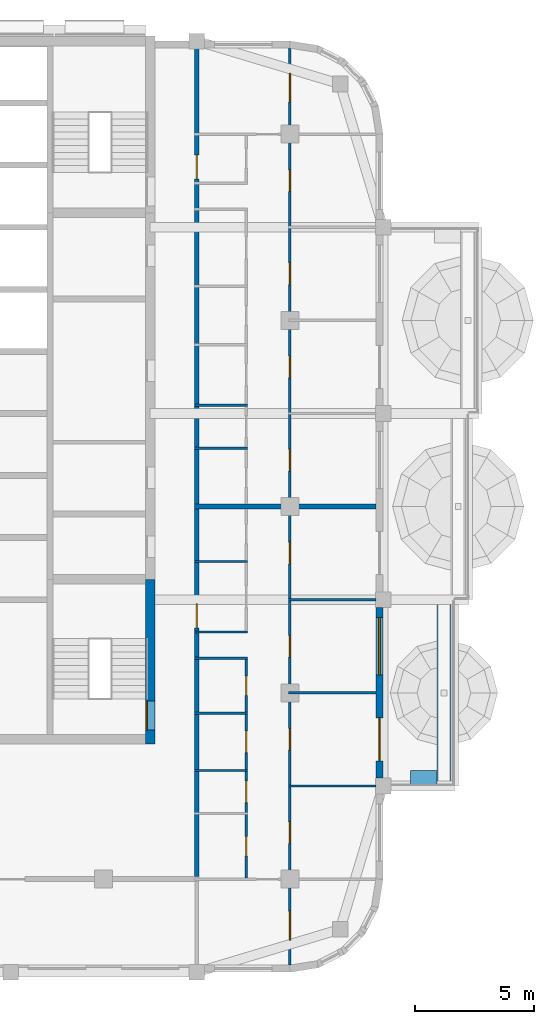
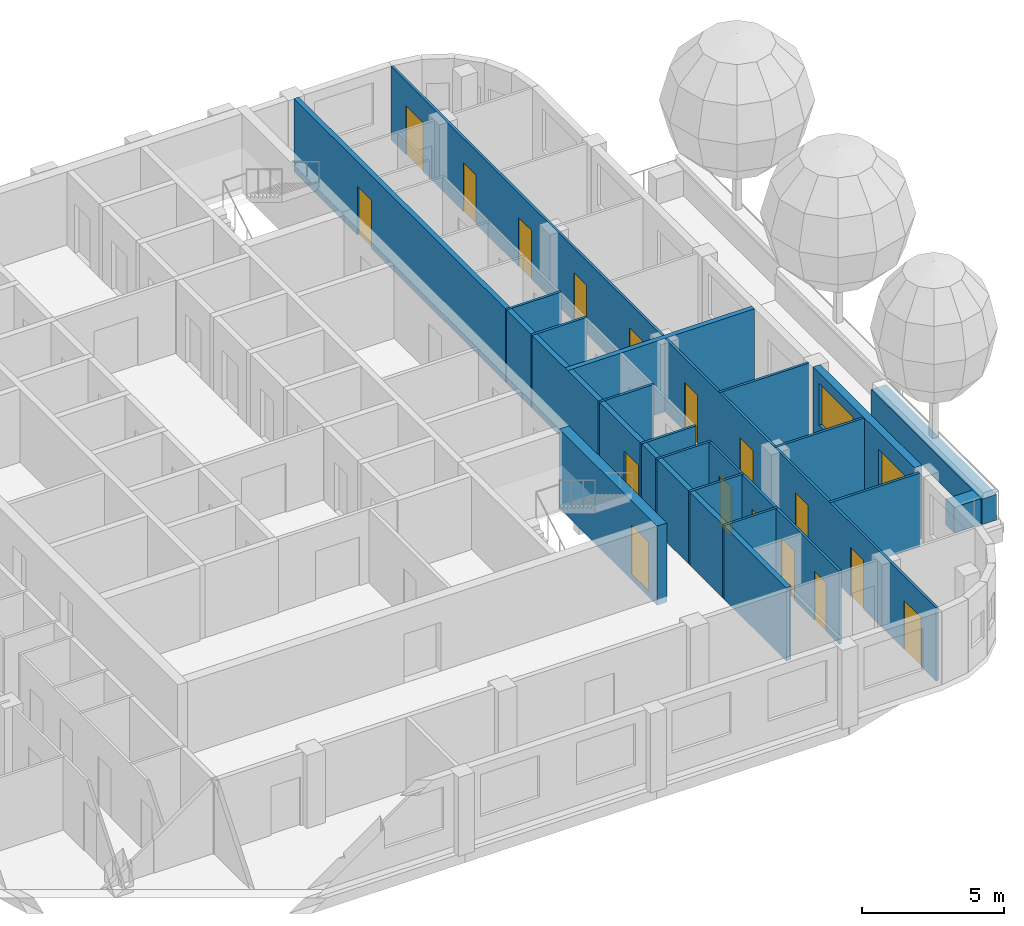
# One storey, part 6 of 13: 18 doors, 18 walls, 1 window, 19 openings.
"""IFC4 building model written with IfcOpenShell, lengths in metres."""

from ifc_helpers import new_model, si_unit, direction, frame, frame_2d, origin, place, context, subcontext, project, spatial, rectangle, extrude, material, layer, layer_set, type_object, element, fill, save


model = new_model("IFC4")

# Units and contexts
model_context = context("Model", 3, precision=1e-05, world=origin(), true_north=direction((0.0, 1.0)))
body_context = subcontext(model_context, "Body", "Model", "MODEL_VIEW")
ifc_project = project(units=[si_unit("LENGTHUNIT", "METRE"), si_unit("AREAUNIT", "SQUARE_METRE"), si_unit("VOLUMEUNIT", "CUBIC_METRE"), si_unit("PLANEANGLEUNIT", "RADIAN"), si_unit("MASSUNIT", "GRAM", prefix="KILO")], contexts=[model_context])

# Site, building, storey
site_placement = place(None, origin())
site = spatial("IfcSite", under=ifc_project, at=site_placement, CompositionType="ELEMENT")
building_placement = place(site_placement, origin())
building = spatial("IfcBuilding", under=site, at=building_placement, Name="Ludao Terraces", CompositionType="ELEMENT")
storey_placement = place(building_placement, frame((0.0, 0.0, 259.60009765625)))
storey = spatial("IfcBuildingStorey", under=building, at=storey_placement, Name="L71", CompositionType="ELEMENT", Elevation=259.60009765625)

# Wall, opening, door
ifc_material_1 = material(Name="Concrete C50", Category="concrete")
ifc_layer_1 = layer(ifc_material_1, 0.39990234375)
ifc_layer_set_1 = layer_set([ifc_layer_1], Name="Core wall 400 C50")
wall_type_1 = type_object("IfcWallType", Name="Core wall 400 C50", PredefinedType="SOLIDWALL", material=ifc_layer_set_1)
wall_1_placement = place(storey_placement, frame((94.75, 55.050048828125, -0.25), z_axis=(0.0, 0.0, 1.0), x_axis=(0.0, 1.0, 0.0)))
wall_1 = element("IfcWall", 1, at=wall_1_placement, inside=storey, type_object=wall_type_1, Name="Core wall L71 outer-E-S3", PredefinedType="SOLIDWALL", context=body_context, shape_type="SweptSolid", body=[
    extrude(rectangle(XDim=6.89990234375, YDim=0.39990234375, at=frame_2d((3.449951171875, 0.0))), origin(), (0.0, 0.0, 1.0), 3.39990234375),
])
opening_1_placement = place(wall_1_placement, frame((0.60009765625, 0.0, 0.25)))
opening_1 = element("IfcOpeningElement", 2, at=opening_1_placement, cuts=wall_1, Name="Opening R26-018", PredefinedType="OPENING", context=body_context, shape_type="SweptSolid", body=[
    extrude(rectangle(XDim=1.199951171875, YDim=2.10009765625, at=frame_2d((0.60009765625, 1.050048828125))), frame((0.0, 0.2099609375, 0.0), z_axis=(0.0, -1.0, 0.0), x_axis=(1.0, 0.0, 0.0)), (0.0, 0.0, 1.0), 0.419921875),
])
ifc_material_2 = material(Name="Steel Q235", Category="steel")
door_type_1 = type_object("IfcDoorType", Name="INT Stair door 1200", OperationType="DOUBLE_DOOR_SINGLE_SWING", PredefinedType="DOOR", material=ifc_material_2)
door_1_placement = place(opening_1_placement, origin())
door_1 = element("IfcDoor", 3, at=door_1_placement, inside=storey, type_object=door_type_1, Name="DOOR 018", OperationType="DOUBLE_DOOR_SINGLE_SWING", OverallHeight=2.10009765625, OverallWidth=1.199951171875, PredefinedType="DOOR", context=body_context, shape_type="SweptSolid", body=[
    extrude(rectangle(XDim=1.199951171875, YDim=2.10009765625, at=frame_2d((0.60009765625, 1.050048828125))), frame((0.0, 0.18505859375, 0.0), z_axis=(0.0, -1.0, 0.0), x_axis=(1.0, 0.0, 0.0)), (0.0, 0.0, 1.0), 0.050048828125),
])
fill(opening_1, door_1)

# Walls
ifc_material_3 = material(Name="Concrete C40", Category="concrete")
ifc_layer_2 = layer(ifc_material_3, 0.60009765625)
ifc_layer_set_2 = layer_set([ifc_layer_2], Name="ENV Planter trough 600")
wall_type_2 = type_object("IfcWallType", Name="ENV Planter trough 600", PredefinedType="USERDEFINED", material=ifc_layer_set_2)
wall_2_placement = place(storey_placement, frame((107.050048828125, 53.300048828125, 0.0), z_axis=(0.0, 0.0, 1.0), x_axis=(0.0, 1.0, 0.0)))
element("IfcWall", 4, at=wall_2_placement, inside=storey, type_object=wall_type_2, Name="PL-L71-E1", ObjectType="PLANTER", PredefinedType="USERDEFINED", context=body_context, shape_type="SweptSolid", body=[
    extrude(rectangle(XDim=7.800048828125, YDim=0.60009765625, at=frame_2d((3.89990234375, 0.0))), origin(), (0.0, 0.0, 1.0), 1.099853515625),
])
wall_3_placement = place(storey_placement, frame((106.75, 53.64990234375, 0.0), z_axis=(0.0, 0.0, 1.0), x_axis=(-1.0, 0.0, 0.0)))
element("IfcWall", 5, at=wall_3_placement, inside=storey, type_object=wall_type_2, Name="PL-L71-E1-SA", ObjectType="PLANTER", PredefinedType="USERDEFINED", context=body_context, shape_type="SweptSolid", body=[
    extrude(rectangle(XDim=1.10009765625, YDim=0.60009765625, at=frame_2d((0.550048828125, 0.0))), origin(), (0.0, 0.0, 1.0), 1.099853515625),
])

# Wall, openings, door, window
ifc_material_4 = material(Name="Granite cladding", Category="masonry")
ifc_layer_3 = layer(ifc_material_4, 0.0400390625, Category="stone")
ifc_material_5 = material(Name="Mineral wool")
ifc_layer_4 = layer(ifc_material_5, 0.06005859375)
ifc_layer_5 = layer(ifc_material_3, 0.199951171875, Category="concrete")
ifc_layer_set_3 = layer_set([ifc_layer_3, ifc_layer_4, ifc_layer_5], Name="ENV Stone-clad wall 300")
wall_type_3 = type_object("IfcWallType", Name="ENV Stone-clad wall 300", PredefinedType="SOLIDWALL", material=ifc_layer_set_3)
wall_4_placement = place(storey_placement, frame((104.35009765625, 53.625, 0.0), z_axis=(0.0, 0.0, 1.0), x_axis=(0.0, 1.0, 0.0)))
wall_4 = element("IfcWall", 6, at=wall_4_placement, inside=storey, type_object=wall_type_3, Name="EW-L71-E2", PredefinedType="SOLIDWALL", context=body_context, shape_type="SweptSolid", body=[
    extrude(rectangle(XDim=7.14990234375, YDim=0.300048828125, at=frame_2d((3.574951171875, 0.0))), origin(), (0.0, 0.0, 1.0), 3.14990234375),
])
opening_2_placement = place(wall_4_placement, frame((0.72509765625, 0.0, 0.0)))
opening_2 = element("IfcOpeningElement", 7, at=opening_2_placement, cuts=wall_4, Name="Opening BD", PredefinedType="OPENING", context=body_context, shape_type="SweptSolid", body=[
    extrude(rectangle(XDim=1.800048828125, YDim=2.39990234375, at=frame_2d((0.89990234375, 1.199951171875))), frame((0.0, 0.16015625, 0.0), z_axis=(0.0, -1.0, 0.0), x_axis=(1.0, 0.0, 0.0)), (0.0, 0.0, 1.0), 0.320068359375),
])
opening_3_placement = place(wall_4_placement, frame((4.324951171875, 0.0, 0.89990234375)))
opening_3 = element("IfcOpeningElement", 8, at=opening_3_placement, cuts=wall_4, Name="Opening W1", PredefinedType="OPENING", context=body_context, shape_type="SweptSolid", body=[
    extrude(rectangle(XDim=2.39990234375, YDim=1.800048828125, at=frame_2d((1.199951171875, 0.89990234375))), frame((0.0, 0.16015625, 0.0), z_axis=(0.0, -1.0, 0.0), x_axis=(1.0, 0.0, 0.0)), (0.0, 0.0, 1.0), 0.320068359375),
])
ifc_material_6 = material(Name="Aluminium glazed door", Category="aluminium")
ifc_layer_6 = layer(ifc_material_6, 0.06005859375)
ifc_layer_set_4 = layer_set([ifc_layer_6], Name="ENV Balcony door BD 1800x2400")
door_type_2 = type_object("IfcDoorType", Name="ENV Balcony door BD 1800x2400", OperationType="DOUBLE_DOOR_SINGLE_SWING", PredefinedType="DOOR", material=ifc_layer_set_4)
door_2_placement = place(opening_2_placement, origin())
door_2 = element("IfcDoor", 9, at=door_2_placement, inside=storey, type_object=door_type_2, Name="BD-L71-E2-1", OperationType="DOUBLE_DOOR_SINGLE_SWING", OverallHeight=2.39990234375, OverallWidth=1.800048828125, PredefinedType="DOOR", context=body_context, shape_type="SweptSolid", body=[
    extrude(rectangle(XDim=1.800048828125, YDim=2.39990234375, at=frame_2d((0.89990234375, 1.199951171875))), frame((0.0, 0.02490234375, 0.0), z_axis=(0.0, -1.0, 0.0), x_axis=(1.0, 0.0, 0.0)), (0.0, 0.0, 1.0), 0.050048828125),
])
fill(opening_2, door_2)
ifc_material_7 = material(Name="Clear glass in aluminium frame", Category="aluminium")
ifc_layer_7 = layer(ifc_material_7, 0.06005859375)
ifc_layer_set_5 = layer_set([ifc_layer_7], Name="ENV Window W1 2400x1800")
window_type = type_object("IfcWindowType", Name="ENV Window W1 2400x1800", PartitioningType="DOUBLE_PANEL_VERTICAL", PredefinedType="WINDOW", material=ifc_layer_set_5)
window_placement = place(opening_3_placement, origin())
window = element("IfcWindow", 10, at=window_placement, inside=storey, type_object=window_type, Name="W-L71-E2-2", OverallHeight=1.800048828125, OverallWidth=2.39990234375, PartitioningType="DOUBLE_PANEL_VERTICAL", PredefinedType="WINDOW", context=body_context, shape_type="SweptSolid", body=[
    extrude(rectangle(XDim=2.39990234375, YDim=1.800048828125, at=frame_2d((1.199951171875, 0.89990234375))), frame((0.0, 0.030029296875, 0.0), z_axis=(0.0, -1.0, 0.0), x_axis=(1.0, 0.0, 0.0)), (0.0, 0.0, 1.0), 0.06005859375),
])
fill(opening_3, window)

# Wall, openings, doors
ifc_material_8 = material(Name="Autoclaved aerated concrete block B06 A3.5", Category="concrete")
ifc_layer_8 = layer(ifc_material_8, 0.199951171875)
ifc_layer_set_6 = layer_set([ifc_layer_8], Name="INT Entrance wall 200")
wall_type_4 = type_object("IfcWallType", Name="INT Entrance wall 200", PredefinedType="PARTITIONING", material=ifc_layer_set_6)
wall_5_placement = place(storey_placement, frame((96.699951171875, 49.5, 0.0), z_axis=(0.0, 0.0, 1.0), x_axis=(0.0, 1.0, 0.0)))
wall_5 = element("IfcWall", 11, at=wall_5_placement, inside=storey, type_object=wall_type_4, Name="PW-L71-PW056", PredefinedType="PARTITIONING", context=body_context, shape_type="SweptSolid", body=[
    extrude(rectangle(XDim=34.7001953125, YDim=0.199951171875, at=frame_2d((17.35009765625, 0.0))), origin(), (0.0, 0.0, 1.0), 3.14990234375),
])
opening_4_placement = place(wall_5_placement, frame((10.425048828125, 0.0, 0.0)))
opening_4 = element("IfcOpeningElement", 12, at=opening_4_placement, cuts=wall_5, Name="Opening R26-024", PredefinedType="OPENING", context=body_context, shape_type="SweptSolid", body=[
    extrude(rectangle(XDim=1.0, YDim=2.10009765625, at=frame_2d((0.5, 1.050048828125))), frame((0.0, 0.10986328125, 0.0), z_axis=(0.0, -1.0, 0.0), x_axis=(1.0, 0.0, 0.0)), (0.0, 0.0, 1.0), 0.219970703125),
])
opening_5_placement = place(wall_5_placement, frame((29.22509765625, 0.0, 0.0)))
opening_5 = element("IfcOpeningElement", 13, at=opening_5_placement, cuts=wall_5, Name="Opening R26-077", PredefinedType="OPENING", context=body_context, shape_type="SweptSolid", body=[
    extrude(rectangle(XDim=1.0, YDim=2.10009765625, at=frame_2d((0.5, 1.050048828125))), frame((0.0, 0.10986328125, 0.0), z_axis=(0.0, -1.0, 0.0), x_axis=(1.0, 0.0, 0.0)), (0.0, 0.0, 1.0), 0.219970703125),
])
door_type_3 = type_object("IfcDoorType", Name="INT Flat entrance door 1000", OperationType="SINGLE_SWING_LEFT", PredefinedType="DOOR", material=ifc_material_2)
door_3_placement = place(opening_4_placement, origin())
door_3 = element("IfcDoor", 14, at=door_3_placement, inside=storey, type_object=door_type_3, Name="DOOR 024", OperationType="SINGLE_SWING_LEFT", OverallHeight=2.10009765625, OverallWidth=1.0, PredefinedType="DOOR", context=body_context, shape_type="SweptSolid", body=[
    extrude(rectangle(XDim=1.0, YDim=2.10009765625, at=frame_2d((0.5, 1.050048828125))), frame((0.0, 0.02490234375, 0.0), z_axis=(0.0, -1.0, 0.0), x_axis=(1.0, 0.0, 0.0)), (0.0, 0.0, 1.0), 0.050048828125),
])
fill(opening_4, door_3)
door_4_placement = place(opening_5_placement, origin())
door_4 = element("IfcDoor", 15, at=door_4_placement, inside=storey, type_object=door_type_3, Name="DOOR 077", OperationType="SINGLE_SWING_LEFT", OverallHeight=2.10009765625, OverallWidth=1.0, PredefinedType="DOOR", context=body_context, shape_type="SweptSolid", body=[
    extrude(rectangle(XDim=1.0, YDim=2.10009765625, at=frame_2d((0.5, 1.050048828125))), frame((0.0, 0.02490234375, 0.0), z_axis=(0.0, -1.0, 0.0), x_axis=(1.0, 0.0, 0.0)), (0.0, 0.0, 1.0), 0.050048828125),
])
fill(opening_5, door_4)

# Walls
ifc_material_9 = material(Name="Gypsum plasterboard", Category="gypsum")
ifc_layer_9 = layer(ifc_material_9, 0.012451171875, Category="gypsum")
ifc_layer_10 = layer(ifc_material_5, 0.06005859375, Name="insulation")
ifc_layer_11 = layer(ifc_material_2, 0.014892578125, Name="stud")
ifc_layer_12 = layer(ifc_material_9, 0.012451171875, Category="gypsum")
ifc_layer_set_7 = layer_set([ifc_layer_9, ifc_layer_10, ifc_layer_11, ifc_layer_12], Name="INT Partition 100")
wall_type_5 = type_object("IfcWallType", Name="INT Partition 100", PredefinedType="PARTITIONING", material=ifc_layer_set_7)
wall_6_placement = place(storey_placement, frame((100.550048828125, 53.300048828125, 0.0), z_axis=(0.0, 0.0, 1.0), x_axis=(1.0, 0.0, 0.0)))
element("IfcWall", 16, at=wall_6_placement, inside=storey, type_object=wall_type_5, Name="PW-L71-PW006", PredefinedType="PARTITIONING", context=body_context, shape_type="SweptSolid", body=[
    extrude(rectangle(XDim=3.650146484375, YDim=0.10009765625, at=frame_2d((1.8251953125, 0.0))), origin(), (0.0, 0.0, 1.0), 3.14990234375),
])
for number, where, z_axis, x_axis, name in (
    (17, (96.60009765625, 53.949951171875, 0.0), (0.0, 0.0, 1.0), (1.0, 0.0, 0.0), "PW-L71-PW007"),
    (18, (96.60009765625, 56.35009765625, 0.0), (0.0, 0.0, 1.0), (1.0, 0.0, 0.0), "PW-L71-PW009"),
):
    element("IfcWall", number, at=place(storey_placement, frame(where, z_axis=z_axis, x_axis=x_axis)), inside=storey, type_object=wall_type_5, Name=name, PredefinedType="PARTITIONING", context=body_context, shape_type="SweptSolid", body=[
        extrude(rectangle(XDim=2.219970703125, YDim=0.10009765625, at=frame_2d((1.10986328125, 0.0))), origin(), (0.0, 0.0, 1.0), 3.14990234375),
    ])
wall_7_placement = place(storey_placement, frame((100.550048828125, 57.199951171875, 0.0), z_axis=(0.0, 0.0, 1.0), x_axis=(1.0, 0.0, 0.0)))
element("IfcWall", 19, at=wall_7_placement, inside=storey, type_object=wall_type_5, Name="PW-L71-PW012", PredefinedType="PARTITIONING", context=body_context, shape_type="SweptSolid", body=[
    extrude(rectangle(XDim=3.650146484375, YDim=0.10009765625, at=frame_2d((1.8251953125, 0.0))), origin(), (0.0, 0.0, 1.0), 3.14990234375),
])
for number, where, z_axis, x_axis, name in (
    (20, (96.60009765625, 58.64990234375, 0.0), (0.0, 0.0, 1.0), (1.0, 0.0, 0.0), "PW-L71-PW013"),
    (21, (96.60009765625, 59.75, 0.0), (0.0, 0.0, 1.0), (1.0, 0.0, 0.0), "PW-L71-PW015"),
):
    element("IfcWall", number, at=place(storey_placement, frame(where, z_axis=z_axis, x_axis=x_axis)), inside=storey, type_object=wall_type_5, Name=name, PredefinedType="PARTITIONING", context=body_context, shape_type="SweptSolid", body=[
        extrude(rectangle(XDim=2.219970703125, YDim=0.10009765625, at=frame_2d((1.10986328125, 0.0))), origin(), (0.0, 0.0, 1.0), 3.14990234375),
    ])
wall_8_placement = place(storey_placement, frame((100.550048828125, 61.10009765625, 0.0), z_axis=(0.0, 0.0, 1.0), x_axis=(1.0, 0.0, 0.0)))
element("IfcWall", 22, at=wall_8_placement, inside=storey, type_object=wall_type_5, Name="PW-L71-PW019", PredefinedType="PARTITIONING", context=body_context, shape_type="SweptSolid", body=[
    extrude(rectangle(XDim=3.650146484375, YDim=0.10009765625, at=frame_2d((1.8251953125, 0.0))), origin(), (0.0, 0.0, 1.0), 3.14990234375),
])
for number, where, z_axis, x_axis, name in (
    (23, (96.60009765625, 62.699951171875, 0.0), (0.0, 0.0, 1.0), (1.0, 0.0, 0.0), "PW-L71-PW020"),
    (24, (96.60009765625, 67.449951171875, 0.0), (0.0, 0.0, 1.0), (1.0, 0.0, 0.0), "PW-L71-PW025"),
    (25, (96.60009765625, 69.25, 0.0), (0.0, 0.0, 1.0), (1.0, 0.0, 0.0), "PW-L71-PW031"),
):
    element("IfcWall", number, at=place(storey_placement, frame(where, z_axis=z_axis, x_axis=x_axis)), inside=storey, type_object=wall_type_5, Name=name, PredefinedType="PARTITIONING", context=body_context, shape_type="SweptSolid", body=[
        extrude(rectangle(XDim=2.219970703125, YDim=0.10009765625, at=frame_2d((1.10986328125, 0.0))), origin(), (0.0, 0.0, 1.0), 3.14990234375),
    ])

# Wall, openings, doors
wall_9_placement = place(storey_placement, frame((98.77001953125, 49.4501953125, 0.0), z_axis=(0.0, 0.0, 1.0), x_axis=(0.0, 1.0, 0.0)))
wall_9 = element("IfcWall", 26, at=wall_9_placement, inside=storey, type_object=wall_type_5, Name="PW-L71-PW057", PredefinedType="PARTITIONING", context=body_context, shape_type="SweptSolid", body=[
    extrude(rectangle(XDim=9.14990234375, YDim=0.10009765625, at=frame_2d((4.574951171875, 0.0))), origin(), (0.0, 0.0, 1.0), 3.14990234375),
])
opening_6_placement = place(wall_9_placement, frame((0.9248046875, 0.0, 0.0)))
opening_6 = element("IfcOpeningElement", 27, at=opening_6_placement, cuts=wall_9, Name="Opening R26-008", PredefinedType="OPENING", context=body_context, shape_type="SweptSolid", body=[
    extrude(rectangle(XDim=0.800048828125, YDim=2.10009765625, at=frame_2d((0.39990234375, 1.050048828125))), frame((0.0, 0.06005859375, 0.0), z_axis=(0.0, -1.0, 0.0), x_axis=(1.0, 0.0, 0.0)), (0.0, 0.0, 1.0), 0.1201171875),
])
opening_7_placement = place(wall_9_placement, frame((3.14990234375, 0.0, 0.0)))
opening_7 = element("IfcOpeningElement", 28, at=opening_7_placement, cuts=wall_9, Name="Opening R26-011", PredefinedType="OPENING", context=body_context, shape_type="SweptSolid", body=[
    extrude(rectangle(XDim=0.89990234375, YDim=2.10009765625, at=frame_2d((0.449951171875, 1.050048828125))), frame((0.0, 0.06005859375, 0.0), z_axis=(0.0, -1.0, 0.0), x_axis=(1.0, 0.0, 0.0)), (0.0, 0.0, 1.0), 0.1201171875),
])
opening_8_placement = place(wall_9_placement, frame((5.25, 0.0, 0.0)))
opening_8 = element("IfcOpeningElement", 29, at=opening_8_placement, cuts=wall_9, Name="Opening R26-013", PredefinedType="OPENING", context=body_context, shape_type="SweptSolid", body=[
    extrude(rectangle(XDim=0.89990234375, YDim=2.10009765625, at=frame_2d((0.449951171875, 1.050048828125))), frame((0.0, 0.06005859375, 0.0), z_axis=(0.0, -1.0, 0.0), x_axis=(1.0, 0.0, 0.0)), (0.0, 0.0, 1.0), 0.1201171875),
])
opening_9_placement = place(wall_9_placement, frame((7.64990234375, 0.0, 0.0)))
opening_9 = element("IfcOpeningElement", 30, at=opening_9_placement, cuts=wall_9, Name="Opening R26-019", PredefinedType="OPENING", context=body_context, shape_type="SweptSolid", body=[
    extrude(rectangle(XDim=0.800048828125, YDim=2.10009765625, at=frame_2d((0.39990234375, 1.050048828125))), frame((0.0, 0.06005859375, 0.0), z_axis=(0.0, -1.0, 0.0), x_axis=(1.0, 0.0, 0.0)), (0.0, 0.0, 1.0), 0.1201171875),
])
ifc_material_10 = material(Name="Timber door leaf", Category="wood")
door_type_4 = type_object("IfcDoorType", Name="INT Bathroom door 900", OperationType="SINGLE_SWING_LEFT", PredefinedType="DOOR", material=ifc_material_10)
door_5_placement = place(opening_7_placement, origin())
door_5 = element("IfcDoor", 31, at=door_5_placement, inside=storey, type_object=door_type_4, Name="DOOR 011", OperationType="SINGLE_SWING_LEFT", OverallHeight=2.10009765625, OverallWidth=0.89990234375, PredefinedType="DOOR", context=body_context, shape_type="SweptSolid", body=[
    extrude(rectangle(XDim=0.89990234375, YDim=2.10009765625, at=frame_2d((0.449951171875, 1.050048828125))), frame((0.0, 0.02490234375, 0.0), z_axis=(0.0, -1.0, 0.0), x_axis=(1.0, 0.0, 0.0)), (0.0, 0.0, 1.0), 0.050048828125),
])
fill(opening_7, door_5)
door_6_placement = place(opening_8_placement, origin())
door_6 = element("IfcDoor", 32, at=door_6_placement, inside=storey, type_object=door_type_4, Name="DOOR 013", OperationType="SINGLE_SWING_LEFT", OverallHeight=2.10009765625, OverallWidth=0.89990234375, PredefinedType="DOOR", context=body_context, shape_type="SweptSolid", body=[
    extrude(rectangle(XDim=0.89990234375, YDim=2.10009765625, at=frame_2d((0.449951171875, 1.050048828125))), frame((0.0, 0.02490234375, 0.0), z_axis=(0.0, -1.0, 0.0), x_axis=(1.0, 0.0, 0.0)), (0.0, 0.0, 1.0), 0.050048828125),
])
fill(opening_8, door_6)
door_type_5 = type_object("IfcDoorType", Name="INT Store door 800", OperationType="SINGLE_SWING_LEFT", PredefinedType="DOOR", material=ifc_material_10)
door_7_placement = place(opening_6_placement, origin())
door_7 = element("IfcDoor", 33, at=door_7_placement, inside=storey, type_object=door_type_5, Name="DOOR 008", OperationType="SINGLE_SWING_LEFT", OverallHeight=2.10009765625, OverallWidth=0.800048828125, PredefinedType="DOOR", context=body_context, shape_type="SweptSolid", body=[
    extrude(rectangle(XDim=0.800048828125, YDim=2.10009765625, at=frame_2d((0.39990234375, 1.050048828125))), frame((0.0, 0.02490234375, 0.0), z_axis=(0.0, -1.0, 0.0), x_axis=(1.0, 0.0, 0.0)), (0.0, 0.0, 1.0), 0.050048828125),
])
fill(opening_6, door_7)
door_8_placement = place(opening_9_placement, origin())
door_8 = element("IfcDoor", 34, at=door_8_placement, inside=storey, type_object=door_type_5, Name="DOOR 019", OperationType="SINGLE_SWING_LEFT", OverallHeight=2.10009765625, OverallWidth=0.800048828125, PredefinedType="DOOR", context=body_context, shape_type="SweptSolid", body=[
    extrude(rectangle(XDim=0.800048828125, YDim=2.10009765625, at=frame_2d((0.39990234375, 1.050048828125))), frame((0.0, 0.02490234375, 0.0), z_axis=(0.0, -1.0, 0.0), x_axis=(1.0, 0.0, 0.0)), (0.0, 0.0, 1.0), 0.050048828125),
])
fill(opening_9, door_8)

wall_10_placement = place(storey_placement, frame((100.60009765625, 45.800048828125, 0.0), z_axis=(0.0, 0.0, 1.0), x_axis=(0.0, 1.0, 0.0)))
wall_10 = element("IfcWall", 35, at=wall_10_placement, inside=storey, type_object=wall_type_5, Name="PW-L71-PW060", PredefinedType="PARTITIONING", context=body_context, shape_type="SweptSolid", body=[
    extrude(rectangle(XDim=38.400146484375, YDim=0.10009765625, at=frame_2d((19.2001953125, 0.0))), origin(), (0.0, 0.0, 1.0), 3.14990234375),
])
opening_10_placement = place(wall_10_placement, frame((1.050048828125, 0.0, 0.0)))
opening_10 = element("IfcOpeningElement", 36, at=opening_10_placement, cuts=wall_10, Name="Opening R26-002", PredefinedType="OPENING", context=body_context, shape_type="SweptSolid", body=[
    extrude(rectangle(XDim=1.199951171875, YDim=2.10009765625, at=frame_2d((0.60009765625, 1.050048828125))), frame((0.0, 0.06005859375, 0.0), z_axis=(0.0, -1.0, 0.0), x_axis=(1.0, 0.0, 0.0)), (0.0, 0.0, 1.0), 0.1201171875),
])
opening_11_placement = place(wall_10_placement, frame((5.10009765625, 0.0, 0.0)))
opening_11 = element("IfcOpeningElement", 37, at=opening_11_placement, cuts=wall_10, Name="Opening R26-010", PredefinedType="OPENING", context=body_context, shape_type="SweptSolid", body=[
    extrude(rectangle(XDim=0.89990234375, YDim=2.10009765625, at=frame_2d((0.449951171875, 1.050048828125))), frame((0.0, 0.06005859375, 0.0), z_axis=(0.0, -1.0, 0.0), x_axis=(1.0, 0.0, 0.0)), (0.0, 0.0, 1.0), 0.1201171875),
])
opening_12_placement = place(wall_10_placement, frame((9.0, 0.0, 0.0)))
opening_12 = element("IfcOpeningElement", 38, at=opening_12_placement, cuts=wall_10, Name="Opening R26-016", PredefinedType="OPENING", context=body_context, shape_type="SweptSolid", body=[
    extrude(rectangle(XDim=0.89990234375, YDim=2.10009765625, at=frame_2d((0.449951171875, 1.050048828125))), frame((0.0, 0.06005859375, 0.0), z_axis=(0.0, -1.0, 0.0), x_axis=(1.0, 0.0, 0.0)), (0.0, 0.0, 1.0), 0.1201171875),
])
opening_13_placement = place(wall_10_placement, frame((12.89990234375, 0.0, 0.0)))
opening_13 = element("IfcOpeningElement", 39, at=opening_13_placement, cuts=wall_10, Name="Opening R26-023", PredefinedType="OPENING", context=body_context, shape_type="SweptSolid", body=[
    extrude(rectangle(XDim=0.89990234375, YDim=2.10009765625, at=frame_2d((0.449951171875, 1.050048828125))), frame((0.0, 0.06005859375, 0.0), z_axis=(0.0, -1.0, 0.0), x_axis=(1.0, 0.0, 0.0)), (0.0, 0.0, 1.0), 0.1201171875),
])
opening_14_placement = place(wall_10_placement, frame((16.800048828125, 0.0, 0.0)))
opening_14 = element("IfcOpeningElement", 40, at=opening_14_placement, cuts=wall_10, Name="Opening R26-033", PredefinedType="OPENING", context=body_context, shape_type="SweptSolid", body=[
    extrude(rectangle(XDim=0.89990234375, YDim=2.10009765625, at=frame_2d((0.449951171875, 1.050048828125))), frame((0.0, 0.06005859375, 0.0), z_axis=(0.0, -1.0, 0.0), x_axis=(1.0, 0.0, 0.0)), (0.0, 0.0, 1.0), 0.1201171875),
])
opening_15_placement = place(wall_10_placement, frame((20.699951171875, 0.0, 0.0)))
opening_15 = element("IfcOpeningElement", 41, at=opening_15_placement, cuts=wall_10, Name="Opening R26-045", PredefinedType="OPENING", context=body_context, shape_type="SweptSolid", body=[
    extrude(rectangle(XDim=0.89990234375, YDim=2.10009765625, at=frame_2d((0.449951171875, 1.050048828125))), frame((0.0, 0.06005859375, 0.0), z_axis=(0.0, -1.0, 0.0), x_axis=(1.0, 0.0, 0.0)), (0.0, 0.0, 1.0), 0.1201171875),
])
opening_16_placement = place(wall_10_placement, frame((24.60009765625, 0.0, 0.0)))
opening_16 = element("IfcOpeningElement", 42, at=opening_16_placement, cuts=wall_10, Name="Opening R26-056", PredefinedType="OPENING", context=body_context, shape_type="SweptSolid", body=[
    extrude(rectangle(XDim=0.89990234375, YDim=2.10009765625, at=frame_2d((0.449951171875, 1.050048828125))), frame((0.0, 0.06005859375, 0.0), z_axis=(0.0, -1.0, 0.0), x_axis=(1.0, 0.0, 0.0)), (0.0, 0.0, 1.0), 0.1201171875),
])
opening_17_placement = place(wall_10_placement, frame((28.5, 0.0, 0.0)))
opening_17 = element("IfcOpeningElement", 43, at=opening_17_placement, cuts=wall_10, Name="Opening R26-062", PredefinedType="OPENING", context=body_context, shape_type="SweptSolid", body=[
    extrude(rectangle(XDim=0.89990234375, YDim=2.10009765625, at=frame_2d((0.449951171875, 1.050048828125))), frame((0.0, 0.06005859375, 0.0), z_axis=(0.0, -1.0, 0.0), x_axis=(1.0, 0.0, 0.0)), (0.0, 0.0, 1.0), 0.1201171875),
])
opening_18_placement = place(wall_10_placement, frame((32.39990234375, 0.0, 0.0)))
opening_18 = element("IfcOpeningElement", 44, at=opening_18_placement, cuts=wall_10, Name="Opening R26-075", PredefinedType="OPENING", context=body_context, shape_type="SweptSolid", body=[
    extrude(rectangle(XDim=0.89990234375, YDim=2.10009765625, at=frame_2d((0.449951171875, 1.050048828125))), frame((0.0, 0.06005859375, 0.0), z_axis=(0.0, -1.0, 0.0), x_axis=(1.0, 0.0, 0.0)), (0.0, 0.0, 1.0), 0.1201171875),
])
opening_19_placement = place(wall_10_placement, frame((36.14990234375, 0.0, 0.0)))
opening_19 = element("IfcOpeningElement", 45, at=opening_19_placement, cuts=wall_10, Name="Opening R26-085", PredefinedType="OPENING", context=body_context, shape_type="SweptSolid", body=[
    extrude(rectangle(XDim=1.199951171875, YDim=2.10009765625, at=frame_2d((0.60009765625, 1.050048828125))), frame((0.0, 0.06005859375, 0.0), z_axis=(0.0, -1.0, 0.0), x_axis=(1.0, 0.0, 0.0)), (0.0, 0.0, 1.0), 0.1201171875),
])
door_type_6 = type_object("IfcDoorType", Name="INT Double door 1200", OperationType="DOUBLE_DOOR_SINGLE_SWING", PredefinedType="DOOR", material=ifc_material_10)
door_9_placement = place(opening_10_placement, origin())
door_9 = element("IfcDoor", 46, at=door_9_placement, inside=storey, type_object=door_type_6, Name="DOOR 002", OperationType="DOUBLE_DOOR_SINGLE_SWING", OverallHeight=2.10009765625, OverallWidth=1.199951171875, PredefinedType="DOOR", context=body_context, shape_type="SweptSolid", body=[
    extrude(rectangle(XDim=1.199951171875, YDim=2.10009765625, at=frame_2d((0.60009765625, 1.050048828125))), frame((0.0, 0.02490234375, 0.0), z_axis=(0.0, -1.0, 0.0), x_axis=(1.0, 0.0, 0.0)), (0.0, 0.0, 1.0), 0.050048828125),
])
fill(opening_10, door_9)
door_10_placement = place(opening_19_placement, origin())
door_10 = element("IfcDoor", 47, at=door_10_placement, inside=storey, type_object=door_type_6, Name="DOOR 085", OperationType="DOUBLE_DOOR_SINGLE_SWING", OverallHeight=2.10009765625, OverallWidth=1.199951171875, PredefinedType="DOOR", context=body_context, shape_type="SweptSolid", body=[
    extrude(rectangle(XDim=1.199951171875, YDim=2.10009765625, at=frame_2d((0.60009765625, 1.050048828125))), frame((0.0, 0.02490234375, 0.0), z_axis=(0.0, -1.0, 0.0), x_axis=(1.0, 0.0, 0.0)), (0.0, 0.0, 1.0), 0.050048828125),
])
fill(opening_19, door_10)
door_type_7 = type_object("IfcDoorType", Name="INT Room door 900", OperationType="SINGLE_SWING_LEFT", PredefinedType="DOOR", material=ifc_material_10)
door_11_placement = place(opening_11_placement, origin())
door_11 = element("IfcDoor", 48, at=door_11_placement, inside=storey, type_object=door_type_7, Name="DOOR 010", OperationType="SINGLE_SWING_LEFT", OverallHeight=2.10009765625, OverallWidth=0.89990234375, PredefinedType="DOOR", context=body_context, shape_type="SweptSolid", body=[
    extrude(rectangle(XDim=0.89990234375, YDim=2.10009765625, at=frame_2d((0.449951171875, 1.050048828125))), frame((0.0, 0.02490234375, 0.0), z_axis=(0.0, -1.0, 0.0), x_axis=(1.0, 0.0, 0.0)), (0.0, 0.0, 1.0), 0.050048828125),
])
fill(opening_11, door_11)
door_12_placement = place(opening_12_placement, origin())
door_12 = element("IfcDoor", 49, at=door_12_placement, inside=storey, type_object=door_type_7, Name="DOOR 016", OperationType="SINGLE_SWING_RIGHT", OverallHeight=2.10009765625, OverallWidth=0.89990234375, PredefinedType="DOOR", context=body_context, shape_type="SweptSolid", body=[
    extrude(rectangle(XDim=0.89990234375, YDim=2.10009765625, at=frame_2d((0.449951171875, 1.050048828125))), frame((0.0, 0.02490234375, 0.0), z_axis=(0.0, -1.0, 0.0), x_axis=(1.0, 0.0, 0.0)), (0.0, 0.0, 1.0), 0.050048828125),
])
fill(opening_12, door_12)
door_13_placement = place(opening_13_placement, origin())
door_13 = element("IfcDoor", 50, at=door_13_placement, inside=storey, type_object=door_type_7, Name="DOOR 023", OperationType="SINGLE_SWING_LEFT", OverallHeight=2.10009765625, OverallWidth=0.89990234375, PredefinedType="DOOR", context=body_context, shape_type="SweptSolid", body=[
    extrude(rectangle(XDim=0.89990234375, YDim=2.10009765625, at=frame_2d((0.449951171875, 1.050048828125))), frame((0.0, 0.02490234375, 0.0), z_axis=(0.0, -1.0, 0.0), x_axis=(1.0, 0.0, 0.0)), (0.0, 0.0, 1.0), 0.050048828125),
])
fill(opening_13, door_13)
door_14_placement = place(opening_14_placement, origin())
door_14 = element("IfcDoor", 51, at=door_14_placement, inside=storey, type_object=door_type_7, Name="DOOR 033", OperationType="SINGLE_SWING_RIGHT", OverallHeight=2.10009765625, OverallWidth=0.89990234375, PredefinedType="DOOR", context=body_context, shape_type="SweptSolid", body=[
    extrude(rectangle(XDim=0.89990234375, YDim=2.10009765625, at=frame_2d((0.449951171875, 1.050048828125))), frame((0.0, 0.02490234375, 0.0), z_axis=(0.0, -1.0, 0.0), x_axis=(1.0, 0.0, 0.0)), (0.0, 0.0, 1.0), 0.050048828125),
])
fill(opening_14, door_14)
door_15_placement = place(opening_15_placement, origin())
door_15 = element("IfcDoor", 52, at=door_15_placement, inside=storey, type_object=door_type_7, Name="DOOR 045", OperationType="SINGLE_SWING_RIGHT", OverallHeight=2.10009765625, OverallWidth=0.89990234375, PredefinedType="DOOR", context=body_context, shape_type="SweptSolid", body=[
    extrude(rectangle(XDim=0.89990234375, YDim=2.10009765625, at=frame_2d((0.449951171875, 1.050048828125))), frame((0.0, 0.02490234375, 0.0), z_axis=(0.0, -1.0, 0.0), x_axis=(1.0, 0.0, 0.0)), (0.0, 0.0, 1.0), 0.050048828125),
])
fill(opening_15, door_15)
door_16_placement = place(opening_16_placement, origin())
door_16 = element("IfcDoor", 53, at=door_16_placement, inside=storey, type_object=door_type_7, Name="DOOR 056", OperationType="SINGLE_SWING_RIGHT", OverallHeight=2.10009765625, OverallWidth=0.89990234375, PredefinedType="DOOR", context=body_context, shape_type="SweptSolid", body=[
    extrude(rectangle(XDim=0.89990234375, YDim=2.10009765625, at=frame_2d((0.449951171875, 1.050048828125))), frame((0.0, 0.02490234375, 0.0), z_axis=(0.0, -1.0, 0.0), x_axis=(1.0, 0.0, 0.0)), (0.0, 0.0, 1.0), 0.050048828125),
])
fill(opening_16, door_16)
door_17_placement = place(opening_17_placement, origin())
door_17 = element("IfcDoor", 54, at=door_17_placement, inside=storey, type_object=door_type_7, Name="DOOR 062", OperationType="SINGLE_SWING_RIGHT", OverallHeight=2.10009765625, OverallWidth=0.89990234375, PredefinedType="DOOR", context=body_context, shape_type="SweptSolid", body=[
    extrude(rectangle(XDim=0.89990234375, YDim=2.10009765625, at=frame_2d((0.449951171875, 1.050048828125))), frame((0.0, 0.02490234375, 0.0), z_axis=(0.0, -1.0, 0.0), x_axis=(1.0, 0.0, 0.0)), (0.0, 0.0, 1.0), 0.050048828125),
])
fill(opening_17, door_17)
door_18_placement = place(opening_18_placement, origin())
door_18 = element("IfcDoor", 55, at=door_18_placement, inside=storey, type_object=door_type_7, Name="DOOR 075", OperationType="SINGLE_SWING_RIGHT", OverallHeight=2.10009765625, OverallWidth=0.89990234375, PredefinedType="DOOR", context=body_context, shape_type="SweptSolid", body=[
    extrude(rectangle(XDim=0.89990234375, YDim=2.10009765625, at=frame_2d((0.449951171875, 1.050048828125))), frame((0.0, 0.02490234375, 0.0), z_axis=(0.0, -1.0, 0.0), x_axis=(1.0, 0.0, 0.0)), (0.0, 0.0, 1.0), 0.050048828125),
])
fill(opening_18, door_18)

# Wall
ifc_layer_13 = layer(ifc_material_8, 0.199951171875)
ifc_layer_set_8 = layer_set([ifc_layer_13], Name="INT Party wall 200")
wall_type_6 = type_object("IfcWallType", Name="INT Party wall 200", PredefinedType="PARTITIONING", material=ifc_layer_set_8)
wall_11_placement = place(storey_placement, frame((96.60009765625, 65.0, 0.0), z_axis=(0.0, 0.0, 1.0), x_axis=(1.0, 0.0, 0.0)))
element("IfcWall", 56, at=wall_11_placement, inside=storey, type_object=wall_type_6, Name="PW-L71-PW023", PredefinedType="PARTITIONING", context=body_context, shape_type="SweptSolid", body=[
    extrude(rectangle(XDim=7.60009765625, YDim=0.199951171875, at=frame_2d((3.800048828125, 0.0))), origin(), (0.0, 0.0, 1.0), 3.14990234375),
])

save(model, "model.ifc")
